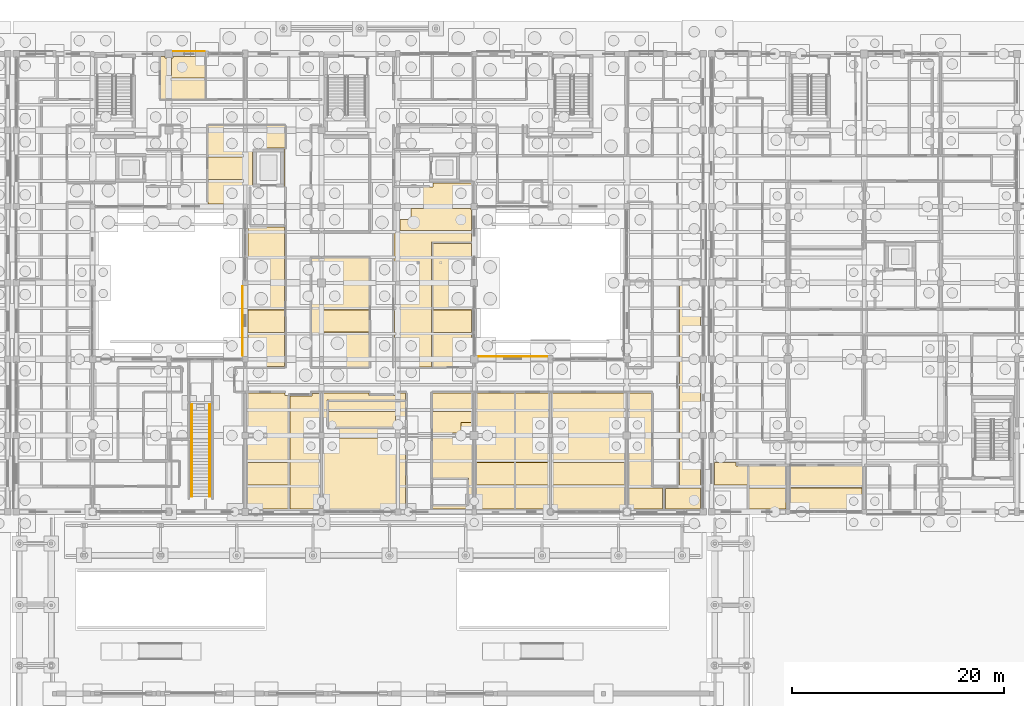
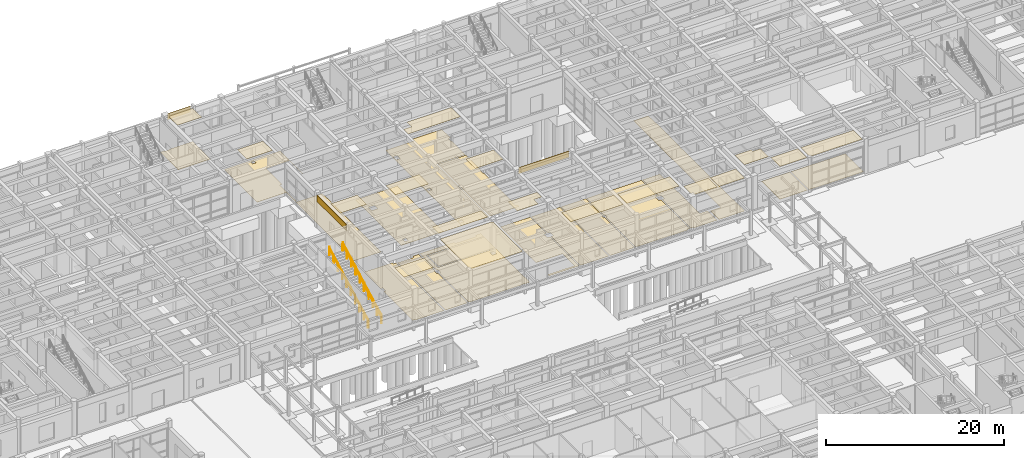
# One storey, part 135 of 143: 39 coverings, 4 railings.
"""IFC4 building model written with IfcOpenShell, lengths in metres."""

from ifc_helpers import new_model, si_unit, direction, frame, origin, origin_2d, place, context, subcontext, project, spatial, polyline, rectangle, circle, outline, extrude, material, layer, layer_set, type_object, element, save


model = new_model("IFC4")

# Units and contexts
model_context = context("Model", 3, precision=1e-05, world=origin(), true_north=direction((0.0, 1.0)))
body_context = subcontext(model_context, "Body", "Model", "MODEL_VIEW")
ifc_project = project(units=[si_unit("LENGTHUNIT", "METRE"), si_unit("AREAUNIT", "SQUARE_METRE"), si_unit("VOLUMEUNIT", "CUBIC_METRE"), si_unit("PLANEANGLEUNIT", "RADIAN"), si_unit("MASSUNIT", "GRAM", prefix="KILO")], contexts=[model_context])

# Site, building, storey
site_placement = place(None, origin())
site = spatial("IfcSite", under=ifc_project, at=site_placement, CompositionType="ELEMENT")
building_placement = place(site_placement, origin())
building = spatial("IfcBuilding", under=site, at=building_placement, Name="Steenspoor Specialist Clinic", CompositionType="ELEMENT")
storey_placement = place(building_placement, origin())
storey = spatial("IfcBuildingStorey", under=building, at=storey_placement, Name="L00", CompositionType="ELEMENT", Elevation=0.0)

# Coverings
ifc_material_1 = material(Name="Washable acoustic mineral ceiling board", Category="gypsum")
ifc_layer_1 = layer(ifc_material_1, 0.02490234375)
ifc_layer_set_1 = layer_set([ifc_layer_1], Name="Washable acoustic mineral ceiling board")
covering_type_1 = type_object("IfcCoveringType", Name="COV-CEIL-ACOUSTIC", PredefinedType="CEILING", material=ifc_layer_set_1)
covering_1_placement = place(storey_placement, frame((0.0, 0.0, 4.52490234375)))
element("IfcCovering", 1, at=covering_1_placement, inside=storey, type_object=covering_type_1, Name="Acoustic Clinical Ceiling 049", PredefinedType="CEILING", context=body_context, shape_type="SweptSolid", body=[
    extrude(outline(polyline([(78.034912109375, 67.68994140625), (74.195068359375, 67.68994140625), (74.195068359375, 69.800048828125), (78.034912109375, 69.800048828125), (78.034912109375, 67.68994140625)])), origin(), (0.0, 0.0, 1.0), 0.025146484375),
])
covering_2_placement = place(storey_placement, frame((0.0, 0.0, 4.52490234375)))
element("IfcCovering", 2, at=covering_2_placement, inside=storey, type_object=covering_type_1, Name="Acoustic Clinical Ceiling 050", PredefinedType="CEILING", context=body_context, shape_type="SweptSolid", body=[
    extrude(outline(polyline([(81.844970703125, 73.1650390625), (81.844970703125, 74.610107421875), (88.155029296875, 74.610107421875), (88.155029296875, 73.1650390625), (81.844970703125, 73.1650390625)])), origin(), (0.0, 0.0, 1.0), 0.025146484375),
])
covering_3_placement = place(storey_placement, frame((0.0, 0.0, 4.52490234375)))
element("IfcCovering", 3, at=covering_3_placement, inside=storey, type_object=covering_type_1, Name="Acoustic Clinical Ceiling 051", PredefinedType="CEILING", context=body_context, shape_type="SweptSolid", body=[
    extrude(outline(polyline([(81.43994140625, 65.409912109375), (81.43994140625, 65.489990234375), (81.419921875, 65.489990234375), (81.419921875, 72.034912109375), (81.43994140625, 72.034912109375), (81.43994140625, 72.1298828125), (88.135009765625, 72.1298828125), (88.135009765625, 72.0849609375), (88.22998046875, 72.0849609375), (88.22998046875, 65.43994140625), (88.110107421875, 65.43994140625), (88.110107421875, 65.409912109375), (81.43994140625, 65.409912109375)])), origin(), (0.0, 0.0, 1.0), 0.025146484375),
])
covering_4_placement = place(storey_placement, frame((0.0, 0.0, 4.52490234375)))
element("IfcCovering", 4, at=covering_4_placement, inside=storey, type_object=covering_type_1, Name="Acoustic Clinical Ceiling 052", PredefinedType="CEILING", context=body_context, shape_type="SweptSolid", body=[
    extrude(outline(polyline([(91.6650390625, 74.60009765625), (95.405029296875, 74.60009765625), (95.405029296875, 73.570068359375), (94.3798828125, 73.570068359375), (94.3798828125, 72.570068359375), (91.6650390625, 72.570068359375), (91.6650390625, 74.60009765625)])), origin(), (0.0, 0.0, 1.0), 0.025146484375),
])
covering_5_placement = place(storey_placement, frame((0.0, 0.0, 4.52490234375)))
element("IfcCovering", 5, at=covering_5_placement, inside=storey, type_object=covering_type_1, Name="Acoustic Clinical Ceiling 053", PredefinedType="CEILING", context=body_context, shape_type="SweptSolid", body=[
    extrude(outline(polyline([(99.385009765625, 67.699951171875), (95.794921875, 67.699951171875), (95.794921875, 69.81005859375), (99.385009765625, 69.81005859375), (99.385009765625, 67.699951171875)])), origin(), (0.0, 0.0, 1.0), 0.025146484375),
])
covering_6_placement = place(storey_placement, frame((0.0, 0.0, 4.52490234375)))
element("IfcCovering", 6, at=covering_6_placement, inside=storey, type_object=covering_type_1, Name="Acoustic Clinical Ceiling 054", PredefinedType="CEILING", context=body_context, shape_type="SweptSolid", body=[
    extrude(outline(polyline([(99.514892578125, 69.81005859375), (102.554931640625, 69.81005859375), (102.554931640625, 67.699951171875), (99.514892578125, 67.699951171875), (99.514892578125, 69.81005859375)])), origin(), (0.0, 0.0, 1.0), 0.025146484375),
])
covering_7_placement = place(storey_placement, frame((0.0, 0.0, 4.52490234375)))
element("IfcCovering", 7, at=covering_7_placement, inside=storey, type_object=covering_type_1, Name="Acoustic Clinical Ceiling 055", PredefinedType="CEILING", context=body_context, shape_type="SweptSolid", body=[
    extrude(outline(polyline([(109.804931640625, 69.800048828125), (109.804931640625, 67.68994140625), (103.044921875, 67.68994140625), (103.044921875, 69.800048828125), (109.804931640625, 69.800048828125)])), origin(), (0.0, 0.0, 1.0), 0.025146484375),
])
covering_8_placement = place(storey_placement, frame((0.0, 0.0, 4.52490234375)))
element("IfcCovering", 8, at=covering_8_placement, inside=storey, type_object=covering_type_1, Name="Acoustic Clinical Ceiling 056", PredefinedType="CEILING", context=body_context, shape_type="SweptSolid", body=[
    extrude(outline(polyline([(113.385009765625, 65.409912109375), (110.389892578125, 65.409912109375), (110.389892578125, 65.5400390625), (110.195068359375, 65.5400390625), (110.195068359375, 67.39990234375), (113.385009765625, 67.39990234375), (113.385009765625, 65.409912109375)])), origin(), (0.0, 0.0, 1.0), 0.025146484375),
])
covering_9_placement = place(storey_placement, frame((0.0, 0.0, 4.52490234375)))
element("IfcCovering", 9, at=covering_9_placement, inside=storey, type_object=covering_type_1, Name="Acoustic Clinical Ceiling 057", PredefinedType="CEILING", context=body_context, shape_type="SweptSolid", body=[
    extrude(outline(polyline([(114.989990234375, 67.39990234375), (116.93994140625, 67.39990234375), (116.93994140625, 65.465087890625), (116.885009765625, 65.465087890625), (116.885009765625, 65.409912109375), (113.639892578125, 65.409912109375), (113.639892578125, 67.360107421875), (114.989990234375, 67.360107421875), (114.989990234375, 67.39990234375)])), origin(), (0.0, 0.0, 1.0), 0.025146484375),
])
covering_10_placement = place(storey_placement, frame((0.0, 0.0, 4.52490234375)))
element("IfcCovering", 10, at=covering_10_placement, inside=storey, type_object=covering_type_1, Name="Acoustic Clinical Ceiling 060", PredefinedType="CEILING", context=body_context, shape_type="SweptSolid", body=[
    extrude(outline(polyline([(74.260009765625, 84.199951171875), (77.68505859375, 84.199951171875), (77.68505859375, 82.090087890625), (74.260009765625, 82.090087890625), (74.260009765625, 84.199951171875)])), origin(), (0.0, 0.0, 1.0), 0.025146484375),
])
covering_11_placement = place(storey_placement, frame((0.0, 0.0, 4.52490234375)))
element("IfcCovering", 11, at=covering_11_placement, inside=storey, type_object=covering_type_1, Name="Acoustic Clinical Ceiling 061", PredefinedType="CEILING", context=body_context, shape_type="SweptSolid", body=[
    extrude(outline(polyline([(85.68505859375, 82.10009765625), (81.39501953125, 82.10009765625), (81.39501953125, 84.2099609375), (85.68505859375, 84.2099609375), (85.68505859375, 82.10009765625)])), origin(), (0.0, 0.0, 1.0), 0.025146484375),
])
covering_12_placement = place(storey_placement, frame((0.0, 0.0, 4.52490234375)))
element("IfcCovering", 12, at=covering_12_placement, inside=storey, type_object=covering_type_1, Name="Acoustic Clinical Ceiling 062", PredefinedType="CEILING", context=body_context, shape_type="SweptSolid", body=[
    extrude(outline(polyline([(95.340087890625, 91.68994140625), (88.594970703125, 91.68994140625), (88.594970703125, 92.72998046875), (89.6201171875, 92.72998046875), (89.6201171875, 93.7548828125), (95.284912109375, 93.7548828125), (95.284912109375, 93.635009765625), (95.340087890625, 93.635009765625), (95.340087890625, 91.68994140625)])), origin(), (0.0, 0.0, 1.0), 0.025146484375),
])
covering_13_placement = place(storey_placement, frame((0.0, 0.0, 4.52490234375)))
element("IfcCovering", 13, at=covering_13_placement, inside=storey, type_object=covering_type_1, Name="Acoustic Clinical Ceiling 063", PredefinedType="CEILING", context=body_context, shape_type="SweptSolid", body=[
    extrude(outline(polyline([(95.340087890625, 82.090087890625), (91.715087890625, 82.090087890625), (91.715087890625, 84.199951171875), (95.340087890625, 84.199951171875), (95.340087890625, 82.090087890625)])), origin(), (0.0, 0.0, 1.0), 0.025146484375),
])
covering_14_placement = place(storey_placement, frame((0.0, 0.0, 4.52490234375)))
element("IfcCovering", 14, at=covering_14_placement, inside=storey, type_object=covering_type_1, Name="Acoustic Clinical Ceiling 066", PredefinedType="CEILING", context=body_context, shape_type="SweptSolid", body=[
    extrude(outline(polyline([(70.4951171875, 98.610107421875), (73.804931640625, 98.610107421875), (73.804931640625, 96.5), (70.4951171875, 96.5), (70.4951171875, 98.610107421875)])), origin(), (0.0, 0.0, 1.0), 0.025146484375),
])
covering_15_placement = place(storey_placement, frame((0.0, 0.0, 4.52490234375)))
element("IfcCovering", 15, at=covering_15_placement, inside=storey, type_object=covering_type_1, Name="Acoustic Clinical Ceiling 067", PredefinedType="CEILING", context=body_context, shape_type="SweptSolid", body=[
    extrude(outline(polyline([(70.18505859375, 108.090087890625), (70.18505859375, 106.10009765625), (67.044921875, 106.10009765625), (67.044921875, 107.985107421875), (67.1650390625, 107.985107421875), (67.1650390625, 108.090087890625), (70.18505859375, 108.090087890625)])), origin(), (0.0, 0.0, 1.0), 0.025146484375),
])
covering_16_placement = place(storey_placement, frame((0.0, 0.0, 4.4951171875)))
element("IfcCovering", 16, at=covering_16_placement, inside=storey, type_object=covering_type_1, Name="Acoustic Clinical Ceiling 081", PredefinedType="CEILING", context=body_context, shape_type="SweptSolid", body=[
    extrude(outline(polyline([(118.260009765625, 69.81005859375), (120.320068359375, 69.81005859375), (120.320068359375, 69.469970703125), (121.3701171875, 69.469970703125), (121.3701171875, 67.699951171875), (118.260009765625, 67.699951171875), (118.260009765625, 69.81005859375)])), origin(), (0.0, 0.0, 1.0), 0.02490234375),
])
covering_17_placement = place(storey_placement, frame((0.0, 0.0, 4.4951171875)))
element("IfcCovering", 17, at=covering_17_placement, inside=storey, type_object=covering_type_1, Name="Acoustic Clinical Ceiling 082", PredefinedType="CEILING", context=body_context, shape_type="SweptSolid", body=[
    extrude(outline(polyline([(121.514892578125, 65.409912109375), (121.514892578125, 67.39990234375), (125.0048828125, 67.39990234375), (125.0048828125, 65.4150390625), (124.93505859375, 65.4150390625), (124.93505859375, 65.409912109375), (121.514892578125, 65.409912109375)])), origin(), (0.0, 0.0, 1.0), 0.02490234375),
])
covering_18_placement = place(storey_placement, frame((0.0, 0.0, 4.4951171875)))
element("IfcCovering", 18, at=covering_18_placement, inside=storey, type_object=covering_type_1, Name="Acoustic Clinical Ceiling 083", PredefinedType="CEILING", context=body_context, shape_type="SweptSolid", body=[
    extrude(outline(polyline([(125.465087890625, 65.409912109375), (125.465087890625, 65.4150390625), (125.39501953125, 65.4150390625), (125.39501953125, 67.409912109375), (132.179931640625, 67.409912109375), (132.179931640625, 65.409912109375), (125.465087890625, 65.409912109375)])), origin(), (0.0, 0.0, 1.0), 0.02490234375),
])
ifc_material_2 = material(Name="Glazed ceramic relief spandrel cladding", Category="masonry")
ifc_layer_2 = layer(ifc_material_2, 0.034912109375)
ifc_layer_set_2 = layer_set([ifc_layer_2], Name="Glazed ceramic relief spandrel cladding")
covering_type_2 = type_object("IfcCoveringType", Name="COV-CLAD-CERAMIC", PredefinedType="CLADDING", material=ifc_layer_set_2)
covering_19_placement = place(storey_placement, frame((68.705078125, 108.60009765625, 3.71484375), z_axis=(0.0, 0.0, 1.0), x_axis=(1.0, 0.0, 0.0)))
element("IfcCovering", 19, at=covering_19_placement, inside=storey, type_object=covering_type_2, Name="Spandrel Cladding 24", PredefinedType="CLADDING", context=body_context, shape_type="SweptSolid", body=[
    extrude(rectangle(XDim=2.989990234375, YDim=0.0400390625, at=origin_2d()), origin(), (0.0, 0.0, 1.0), 0.840087890625),
])
covering_20_placement = place(storey_placement, frame((73.75, 83.16259765625, 3.71484375), z_axis=(0.0, 0.0, 1.0), x_axis=(0.0, 1.0, 0.0)))
element("IfcCovering", 20, at=covering_20_placement, inside=storey, type_object=covering_type_2, Name="Spandrel Cladding 28", PredefinedType="CLADDING", context=body_context, shape_type="SweptSolid", body=[
    extrude(rectangle(XDim=6.554931640625, YDim=0.0400390625, at=origin_2d()), origin(), (0.0, 0.0, 1.0), 0.840087890625),
])
covering_21_placement = place(storey_placement, frame((99.25, 79.800048828125, 3.71484375), z_axis=(0.0, 0.0, 1.0), x_axis=(1.0, 0.0, 0.0)))
element("IfcCovering", 21, at=covering_21_placement, inside=storey, type_object=covering_type_2, Name="Spandrel Cladding 30", PredefinedType="CLADDING", context=body_context, shape_type="SweptSolid", body=[
    extrude(rectangle(XDim=6.47998046875, YDim=0.0400390625, at=origin_2d()), origin(), (0.0, 0.0, 1.0), 0.840087890625),
])
ifc_material_3 = material(Name="Seamless clinical vinyl and terrazzo flooring", Category="plastic")
ifc_layer_3 = layer(ifc_material_3, 0.02001953125)
ifc_layer_set_3 = layer_set([ifc_layer_3], Name="Seamless clinical vinyl and terrazzo flooring")
covering_type_3 = type_object("IfcCoveringType", Name="COV-FLOOR-VINYL", PredefinedType="FLOORING", material=ifc_layer_set_3)
covering_22_placement = place(storey_placement, origin())
element("IfcCovering", 22, at=covering_22_placement, inside=storey, type_object=covering_type_3, Name="Clinical Vinyl Flooring 76", PredefinedType="FLOORING", context=body_context, shape_type="SweptSolid", body=[
    extrude(outline(polyline([(74.340087890625, 65.409912109375), (74.340087890625, 65.489990234375), (74.06494140625, 65.489990234375), (74.06494140625, 72.034912109375), (74.31494140625, 72.034912109375), (74.31494140625, 72.6650390625), (74.06494140625, 72.6650390625), (74.06494140625, 76.385009765625), (77.735107421875, 76.385009765625), (77.735107421875, 76.135009765625), (78.034912109375, 76.135009765625), (78.034912109375, 65.409912109375), (74.340087890625, 65.409912109375)])), origin(), (0.0, 0.0, 1.0), 0.02001953125),
])
covering_23_placement = place(storey_placement, origin())
element("IfcCovering", 23, at=covering_23_placement, inside=storey, type_object=covering_type_3, Name="Clinical Vinyl Flooring 77", PredefinedType="FLOORING", context=body_context, shape_type="SweptSolid", body=[
    extrude(outline(polyline([(80.31494140625, 76.0849609375), (80.31494140625, 76.3349609375), (81.0849609375, 76.3349609375), (81.0849609375, 72.6650390625), (80.9599609375, 72.6650390625), (80.9599609375, 72.034912109375), (81.0849609375, 72.034912109375), (81.0849609375, 65.489990234375), (80.9599609375, 65.489990234375), (80.9599609375, 65.409912109375), (78.215087890625, 65.409912109375), (78.215087890625, 76.0849609375), (80.31494140625, 76.0849609375)])), origin(), (0.0, 0.0, 1.0), 0.02001953125),
])
covering_24_placement = place(storey_placement, origin())
element("IfcCovering", 24, at=covering_24_placement, inside=storey, type_object=covering_type_3, Name="Clinical Vinyl Flooring 78", PredefinedType="FLOORING", context=body_context, shape_type="SweptSolid", body=[
    extrude(outline(polyline([(81.844970703125, 75.5849609375), (89.135009765625, 75.5849609375), (89.135009765625, 73.1650390625), (81.844970703125, 73.1650390625), (81.844970703125, 75.5849609375)])), origin(), (0.0, 0.0, 1.0), 0.02001953125),
])
covering_25_placement = place(storey_placement, origin())
element("IfcCovering", 25, at=covering_25_placement, inside=storey, type_object=covering_type_3, Name="Clinical Vinyl Flooring 79", PredefinedType="FLOORING", context=body_context, shape_type="SweptSolid", body=[
    extrude(outline(polyline([(89.135009765625, 75.715087890625), (81.715087890625, 75.715087890625), (81.715087890625, 73.034912109375), (89.135009765625, 73.034912109375), (89.135009765625, 65.409912109375), (88.68994140625, 65.409912109375), (88.68994140625, 65.43994140625), (88.110107421875, 65.43994140625), (88.110107421875, 65.409912109375), (81.43994140625, 65.409912109375), (81.43994140625, 65.489990234375), (81.264892578125, 65.489990234375), (81.264892578125, 72.034912109375), (81.43994140625, 72.034912109375), (81.43994140625, 72.6650390625), (81.264892578125, 72.6650390625), (81.264892578125, 76.385009765625), (85.68505859375, 76.385009765625), (85.68505859375, 76.135009765625), (88.465087890625, 76.135009765625), (88.465087890625, 76.385009765625), (89.135009765625, 76.385009765625), (89.135009765625, 75.715087890625)]), holes=[polyline([(88.6650390625, 72.0849609375), (88.6650390625, 72.614990234375), (88.135009765625, 72.614990234375), (88.135009765625, 72.0849609375), (88.6650390625, 72.0849609375)])]), origin(), (0.0, 0.0, 1.0), 0.02001953125),
])
covering_26_placement = place(storey_placement, origin())
element("IfcCovering", 26, at=covering_26_placement, inside=storey, type_object=covering_type_3, Name="Clinical Vinyl Flooring 80", PredefinedType="FLOORING", context=body_context, shape_type="SweptSolid", body=[
    extrude(outline(polyline([(95.0849609375, 65.68505859375), (95.0849609375, 68.364990234375), (91.6650390625, 68.364990234375), (91.6650390625, 76.385009765625), (95.534912109375, 76.385009765625), (95.534912109375, 72.739990234375), (95.2099609375, 72.739990234375), (95.2099609375, 71.9599609375), (95.534912109375, 71.9599609375), (95.534912109375, 65.43994140625), (95.385009765625, 65.43994140625), (95.385009765625, 65.409912109375), (91.6650390625, 65.409912109375), (91.6650390625, 65.68505859375), (95.0849609375, 65.68505859375)])), origin(), (0.0, 0.0, 1.0), 0.02001953125),
])
covering_27_placement = place(storey_placement, origin())
element("IfcCovering", 27, at=covering_27_placement, inside=storey, type_object=covering_type_3, Name="Clinical Vinyl Flooring 81", PredefinedType="FLOORING", context=body_context, shape_type="SweptSolid", body=[
    extrude(outline(polyline([(99.385009765625, 65.409912109375), (95.81494140625, 65.409912109375), (95.81494140625, 65.43994140625), (95.6650390625, 65.43994140625), (95.6650390625, 71.9599609375), (95.989990234375, 71.9599609375), (95.989990234375, 72.739990234375), (95.6650390625, 72.739990234375), (95.6650390625, 76.385009765625), (99.385009765625, 76.385009765625), (99.385009765625, 65.409912109375)])), origin(), (0.0, 0.0, 1.0), 0.02001953125),
])
covering_28_placement = place(storey_placement, origin())
element("IfcCovering", 28, at=covering_28_placement, inside=storey, type_object=covering_type_3, Name="Clinical Vinyl Flooring 82", PredefinedType="FLOORING", context=body_context, shape_type="SweptSolid", body=[
    extrude(outline(polyline([(102.735107421875, 72.56494140625), (102.5849609375, 72.56494140625), (102.5849609375, 72.135009765625), (102.735107421875, 72.135009765625), (102.735107421875, 65.465087890625), (102.485107421875, 65.465087890625), (102.485107421875, 65.409912109375), (99.514892578125, 65.409912109375), (99.514892578125, 76.385009765625), (102.735107421875, 76.385009765625), (102.735107421875, 72.56494140625)])), origin(), (0.0, 0.0, 1.0), 0.02001953125),
])
covering_29_placement = place(storey_placement, origin())
element("IfcCovering", 29, at=covering_29_placement, inside=storey, type_object=covering_type_3, Name="Clinical Vinyl Flooring 83", PredefinedType="FLOORING", context=body_context, shape_type="SweptSolid", body=[
    extrude(outline(polyline([(109.93505859375, 72.715087890625), (109.635009765625, 72.715087890625), (109.635009765625, 71.985107421875), (109.93505859375, 71.985107421875), (109.93505859375, 65.5400390625), (109.610107421875, 65.5400390625), (109.610107421875, 65.409912109375), (103.114990234375, 65.409912109375), (103.114990234375, 65.465087890625), (102.864990234375, 65.465087890625), (102.864990234375, 72.135009765625), (103.014892578125, 72.135009765625), (103.014892578125, 72.56494140625), (102.864990234375, 72.56494140625), (102.864990234375, 76.385009765625), (109.93505859375, 76.385009765625), (109.93505859375, 72.715087890625)])), origin(), (0.0, 0.0, 1.0), 0.02001953125),
])
covering_30_placement = place(storey_placement, origin())
element("IfcCovering", 30, at=covering_30_placement, inside=storey, type_object=covering_type_3, Name="Clinical Vinyl Flooring 84", PredefinedType="FLOORING", context=body_context, shape_type="SweptSolid", body=[
    extrude(outline(polyline([(112.3349609375, 67.485107421875), (113.385009765625, 67.485107421875), (113.385009765625, 65.409912109375), (110.389892578125, 65.409912109375), (110.389892578125, 65.5400390625), (110.06494140625, 65.5400390625), (110.06494140625, 71.985107421875), (110.364990234375, 71.985107421875), (110.364990234375, 72.715087890625), (110.06494140625, 72.715087890625), (110.06494140625, 76.385009765625), (112.3349609375, 76.385009765625), (112.3349609375, 67.485107421875)])), origin(), (0.0, 0.0, 1.0), 0.02001953125),
])
covering_31_placement = place(storey_placement, origin())
element("IfcCovering", 31, at=covering_31_placement, inside=storey, type_object=covering_type_3, Name="Clinical Vinyl Flooring 85", PredefinedType="FLOORING", context=body_context, shape_type="SweptSolid", body=[
    extrude(outline(polyline([(114.989990234375, 67.360107421875), (114.989990234375, 86.909912109375), (116.885009765625, 86.909912109375), (116.885009765625, 86.43505859375), (116.93994140625, 86.43505859375), (116.93994140625, 79.864990234375), (116.885009765625, 79.864990234375), (116.885009765625, 79.235107421875), (116.93994140625, 79.235107421875), (116.93994140625, 72.6650390625), (116.885009765625, 72.6650390625), (116.885009765625, 72.034912109375), (116.93994140625, 72.034912109375), (116.93994140625, 65.465087890625), (116.885009765625, 65.465087890625), (116.885009765625, 65.409912109375), (113.639892578125, 65.409912109375), (113.639892578125, 67.360107421875), (114.989990234375, 67.360107421875)])), origin(), (0.0, 0.0, 1.0), 0.02001953125),
])
covering_32_placement = place(storey_placement, origin())
element("IfcCovering", 32, at=covering_32_placement, inside=storey, type_object=covering_type_3, Name="Clinical Vinyl Flooring 89", PredefinedType="FLOORING", context=body_context, shape_type="SweptSolid", body=[
    extrude(outline(polyline([(77.68505859375, 78.864990234375), (74.155029296875, 78.864990234375), (74.155029296875, 79.260009765625), (74.2900390625, 79.260009765625), (74.2900390625, 79.840087890625), (74.260009765625, 79.840087890625), (74.260009765625, 86.485107421875), (74.264892578125, 86.485107421875), (74.264892578125, 87.014892578125), (74.260009765625, 87.014892578125), (74.260009765625, 92.034912109375), (77.68505859375, 92.034912109375), (77.68505859375, 78.864990234375)])), origin(), (0.0, 0.0, 1.0), 0.02001953125),
])
covering_33_placement = place(storey_placement, origin())
element("IfcCovering", 33, at=covering_33_placement, inside=storey, type_object=covering_type_3, Name="Clinical Vinyl Flooring 90", PredefinedType="FLOORING", context=body_context, shape_type="SweptSolid", body=[
    extrude(outline(polyline([(80.264892578125, 78.81494140625), (80.264892578125, 89.0849609375), (85.68505859375, 89.0849609375), (85.68505859375, 78.81494140625), (80.264892578125, 78.81494140625)]), holes=[polyline([(81.4150390625, 79.260009765625), (81.4150390625, 79.840087890625), (80.985107421875, 79.840087890625), (80.985107421875, 79.260009765625), (81.4150390625, 79.260009765625)]), polyline([(81.590087890625, 86.360107421875), (81.590087890625, 87.139892578125), (80.81005859375, 87.139892578125), (80.81005859375, 86.360107421875), (81.590087890625, 86.360107421875)])]), origin(), (0.0, 0.0, 1.0), 0.02001953125),
])
covering_34_placement = place(storey_placement, origin())
element("IfcCovering", 34, at=covering_34_placement, inside=storey, type_object=covering_type_3, Name="Clinical Vinyl Flooring 91", PredefinedType="FLOORING", context=body_context, shape_type="SweptSolid", body=[
    extrude(outline(polyline([(91.715087890625, 96.18505859375), (95.534912109375, 96.18505859375), (95.534912109375, 94.264892578125), (95.284912109375, 94.264892578125), (95.284912109375, 93.635009765625), (95.340087890625, 93.635009765625), (95.340087890625, 90.614990234375), (91.5849609375, 90.614990234375), (91.5849609375, 78.81494140625), (88.034912109375, 78.81494140625), (88.034912109375, 95.784912109375), (91.715087890625, 95.784912109375), (91.715087890625, 96.18505859375)]), holes=[polyline([(88.639892578125, 79.31005859375), (88.639892578125, 79.7900390625), (88.159912109375, 79.7900390625), (88.159912109375, 79.31005859375), (88.639892578125, 79.31005859375)]), polyline([(88.614990234375, 86.965087890625), (88.18505859375, 86.965087890625), (88.18505859375, 86.534912109375), (88.614990234375, 86.534912109375), (88.614990234375, 86.965087890625)]), polyline([(88.6650390625, 93.5849609375), (88.6650390625, 94.31494140625), (88.135009765625, 94.31494140625), (88.135009765625, 93.5849609375), (88.6650390625, 93.5849609375)])]), origin(), (0.0, 0.0, 1.0), 0.02001953125),
])
covering_35_placement = place(storey_placement, origin())
element("IfcCovering", 35, at=covering_35_placement, inside=storey, type_object=covering_type_3, Name="Clinical Vinyl Flooring 92", PredefinedType="FLOORING", context=body_context, shape_type="SweptSolid", body=[
    extrude(outline(polyline([(95.340087890625, 90.485107421875), (95.340087890625, 87.090087890625), (95.260009765625, 87.090087890625), (95.260009765625, 86.409912109375), (95.340087890625, 86.409912109375), (95.340087890625, 79.9150390625), (95.235107421875, 79.9150390625), (95.235107421875, 79.18505859375), (95.4951171875, 79.18505859375), (95.4951171875, 78.81494140625), (91.715087890625, 78.81494140625), (91.715087890625, 90.485107421875), (95.340087890625, 90.485107421875)])), origin(), (0.0, 0.0, 1.0), 0.02001953125),
])
covering_36_placement = place(storey_placement, origin())
element("IfcCovering", 36, at=covering_36_placement, inside=storey, type_object=covering_type_3, Name="Clinical Vinyl Flooring 98", PredefinedType="FLOORING", context=body_context, shape_type="SweptSolid", body=[
    extrude(outline(polyline([(77.735107421875, 101.5849609375), (77.735107421875, 95.864990234375), (77.715087890625, 95.864990234375), (77.715087890625, 99.465087890625), (74.68505859375, 99.465087890625), (74.68505859375, 95.864990234375), (74.385009765625, 95.864990234375), (74.385009765625, 92.215087890625), (74.260009765625, 92.215087890625), (74.260009765625, 94.2099609375), (70.4951171875, 94.2099609375), (70.4951171875, 101.5849609375), (77.735107421875, 101.5849609375)]), holes=[polyline([(74.215087890625, 100.93505859375), (74.215087890625, 101.364990234375), (73.784912109375, 101.364990234375), (73.784912109375, 100.93505859375), (74.215087890625, 100.93505859375)])]), origin(), (0.0, 0.0, 1.0), 0.02001953125),
])
covering_37_placement = place(storey_placement, origin())
element("IfcCovering", 37, at=covering_37_placement, inside=storey, type_object=covering_type_3, Name="Clinical Vinyl Flooring 99", PredefinedType="FLOORING", context=body_context, shape_type="SweptSolid", body=[
    extrude(outline(polyline([(66.014892578125, 104.114990234375), (66.014892578125, 108.090087890625), (66.43505859375, 108.090087890625), (66.43505859375, 107.985107421875), (67.1650390625, 107.985107421875), (67.1650390625, 108.090087890625), (70.18505859375, 108.090087890625), (70.18505859375, 104.114990234375), (66.014892578125, 104.114990234375)])), origin(), (0.0, 0.0, 1.0), 0.02001953125),
])
covering_38_placement = place(storey_placement, origin())
element("IfcCovering", 38, at=covering_38_placement, inside=storey, type_object=covering_type_3, Name="Clinical Vinyl Flooring 117", PredefinedType="FLOORING", context=body_context, shape_type="SweptSolid", body=[
    extrude(outline(polyline([(125.135009765625, 69.485107421875), (125.135009765625, 65.4150390625), (124.93505859375, 65.4150390625), (124.93505859375, 65.409912109375), (121.514892578125, 65.409912109375), (121.514892578125, 69.485107421875), (125.135009765625, 69.485107421875)])), origin(), (0.0, 0.0, 1.0), 0.02001953125),
])
covering_39_placement = place(storey_placement, origin())
element("IfcCovering", 39, at=covering_39_placement, inside=storey, type_object=covering_type_3, Name="Clinical Vinyl Flooring 118", PredefinedType="FLOORING", context=body_context, shape_type="SweptSolid", body=[
    extrude(outline(polyline([(132.320068359375, 69.469970703125), (132.320068359375, 65.409912109375), (125.465087890625, 65.409912109375), (125.465087890625, 65.4150390625), (125.280029296875, 65.4150390625), (125.280029296875, 69.469970703125), (132.320068359375, 69.469970703125)])), origin(), (0.0, 0.0, 1.0), 0.02001953125),
])

# Railings
ifc_material_4 = material(Name="Painted architectural steel balustrade", Category="steel")
railing_type_1 = type_object("IfcRailingType", Name="RAIL-GUARD-1100", PredefinedType="GUARDRAIL", material=ifc_material_4)
for number, where, name in (
    (40, (68.925048828125, 66.60009765625, 0.159912109375), "ST-F02 Flight Guard L"),
    (41, (70.675048828125, 66.60009765625, 0.159912109375), "ST-F02 Flight Guard R"),
):
    element("IfcRailing", number, at=place(storey_placement, frame(where)), inside=storey, type_object=railing_type_1, Name=name, PredefinedType="GUARDRAIL", context=body_context, shape_type="SweptSolid", body=[
        extrude(circle(Radius=0.02392578125, at=origin_2d()), frame((0.0, 0.0, 1.09619140625), z_axis=(0.0, 0.882346086921, 0.470601086797), x_axis=(-1.0, 0.0, 0.0)), (0.0, 0.0, 1.0), 9.860107421875),
        extrude(circle(Radius=0.02099609375, at=origin_2d()), origin(), (0.0, 0.0, 1.0), 1.072021484375),
        extrude(circle(Radius=0.02099609375, at=origin_2d()), frame((0.0, 0.966552734375, 0.515625)), (0.0, 0.0, 1.0), 1.072021484375),
        extrude(circle(Radius=0.02099609375, at=origin_2d()), frame((0.0, 1.933349609375, 1.03125)), (0.0, 0.0, 1.0), 1.072021484375),
        extrude(circle(Radius=0.02099609375, at=origin_2d()), frame((0.0, 2.89990234375, 1.546630859375)), (0.0, 0.0, 1.0), 1.072021484375),
        extrude(circle(Radius=0.02099609375, at=origin_2d()), frame((0.0, 3.86669921875, 2.062255859375)), (0.0, 0.0, 1.0), 1.072021484375),
        extrude(circle(Radius=0.02099609375, at=origin_2d()), frame((0.0, 4.833251953125, 2.577880859375)), (0.0, 0.0, 1.0), 1.072021484375),
        extrude(circle(Radius=0.02099609375, at=origin_2d()), frame((0.0, 5.800048828125, 3.093505859375)), (0.0, 0.0, 1.0), 1.072021484375),
        extrude(circle(Radius=0.02099609375, at=origin_2d()), frame((0.0, 6.7666015625, 3.60888671875)), (0.0, 0.0, 1.0), 1.072021484375),
        extrude(circle(Radius=0.02099609375, at=origin_2d()), frame((0.0, 7.7333984375, 4.12451171875)), (0.0, 0.0, 1.0), 1.072021484375),
        extrude(circle(Radius=0.02099609375, at=origin_2d()), frame((0.0, 8.699951171875, 4.64013671875)), (0.0, 0.0, 1.0), 1.072021484375),
    ])
ifc_material_5 = material(Name="Brushed stainless steel clinical handrail", Category="steel")
railing_type_2 = type_object("IfcRailingType", Name="RAIL-HAND-900", PredefinedType="HANDRAIL", material=ifc_material_5)
for number, where, name in (
    (42, (68.965087890625, 66.60009765625, 0.159912109375), "ST-F02 Handrail L"),
    (43, (70.635009765625, 66.60009765625, 0.159912109375), "ST-F02 Handrail R"),
):
    element("IfcRailing", number, at=place(storey_placement, frame(where)), inside=storey, type_object=railing_type_2, Name=name, PredefinedType="HANDRAIL", context=body_context, shape_type="SweptSolid", body=[
        extrude(circle(Radius=0.02392578125, at=origin_2d()), frame((0.0, 0.0, 0.8759765625), z_axis=(0.0, 0.882346086921, 0.470601086797), x_axis=(-1.0, 0.0, 0.0)), (0.0, 0.0, 1.0), 9.860107421875),
        extrude(circle(Radius=0.02099609375, at=origin_2d()), origin(), (0.0, 0.0, 1.0), 0.851806640625),
        extrude(circle(Radius=0.02099609375, at=origin_2d()), frame((0.0, 0.966552734375, 0.515625)), (0.0, 0.0, 1.0), 0.851806640625),
        extrude(circle(Radius=0.02099609375, at=origin_2d()), frame((0.0, 1.933349609375, 1.03125)), (0.0, 0.0, 1.0), 0.851806640625),
        extrude(circle(Radius=0.02099609375, at=origin_2d()), frame((0.0, 2.89990234375, 1.546630859375)), (0.0, 0.0, 1.0), 0.851806640625),
        extrude(circle(Radius=0.02099609375, at=origin_2d()), frame((0.0, 3.86669921875, 2.062255859375)), (0.0, 0.0, 1.0), 0.851806640625),
        extrude(circle(Radius=0.02099609375, at=origin_2d()), frame((0.0, 4.833251953125, 2.577880859375)), (0.0, 0.0, 1.0), 0.851806640625),
        extrude(circle(Radius=0.02099609375, at=origin_2d()), frame((0.0, 5.800048828125, 3.093505859375)), (0.0, 0.0, 1.0), 0.851806640625),
        extrude(circle(Radius=0.02099609375, at=origin_2d()), frame((0.0, 6.7666015625, 3.60888671875)), (0.0, 0.0, 1.0), 0.851806640625),
        extrude(circle(Radius=0.02099609375, at=origin_2d()), frame((0.0, 7.7333984375, 4.12451171875)), (0.0, 0.0, 1.0), 0.851806640625),
        extrude(circle(Radius=0.02099609375, at=origin_2d()), frame((0.0, 8.699951171875, 4.64013671875)), (0.0, 0.0, 1.0), 0.851806640625),
    ])

save(model, "model.ifc")
